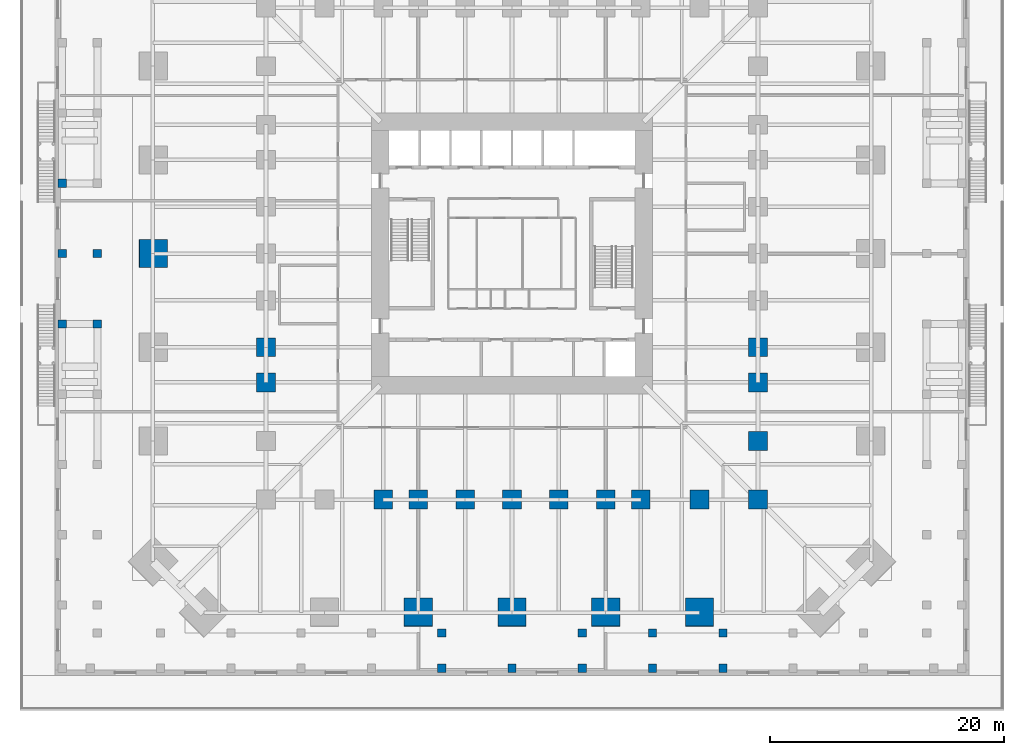
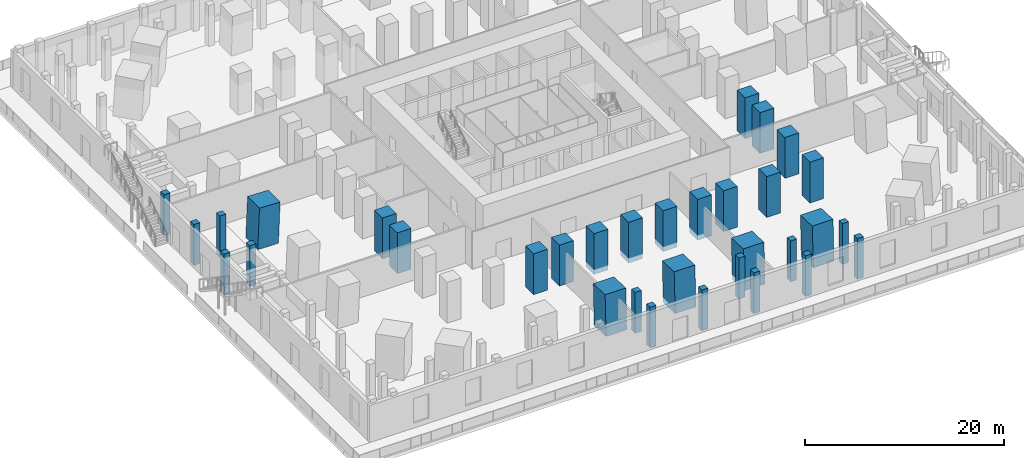
# One storey, part 3 of 22: 33 columns.
"""IFC4 building model written with IfcOpenShell, lengths in metres."""

from ifc_helpers import new_model, si_unit, direction, frame, origin, origin_2d, place, context, subcontext, project, spatial, rectangle, extrude, material, material_profile, profile_set, type_object, element, save


model = new_model("IFC4")

# Units and contexts
model_context = context("Model", 3, precision=1e-05, world=origin(), true_north=direction((0.0, 1.0)))
body_context = subcontext(model_context, "Body", "Model", "MODEL_VIEW")
ifc_project = project(units=[si_unit("LENGTHUNIT", "METRE"), si_unit("AREAUNIT", "SQUARE_METRE"), si_unit("VOLUMEUNIT", "CUBIC_METRE"), si_unit("PLANEANGLEUNIT", "RADIAN"), si_unit("MASSUNIT", "GRAM", prefix="KILO")], contexts=[model_context])

# Site, building, storey
site_placement = place(None, origin())
site = spatial("IfcSite", under=ifc_project, at=site_placement, CompositionType="ELEMENT")
building_placement = place(site_placement, origin())
building = spatial("IfcBuilding", under=site, at=building_placement, Name="Peilmerk Tower", CompositionType="ELEMENT")
storey_placement = place(building_placement, frame((0.0, 0.0, 6.0)))
storey = spatial("IfcBuildingStorey", under=building, at=storey_placement, Name="L01", CompositionType="ELEMENT", Elevation=6.0)

# Columns
ifc_material_1 = material(Name="Concrete C55/67", Category="concrete")
ifc_material_profile_1 = material_profile(ifc_material_1, rectangle(XDim=0.699951171875, YDim=0.699951171875, at=origin_2d()), Name="RC 700x700")
ifc_profile_set_1 = profile_set([ifc_material_profile_1], Name="Concrete C55/67")
column_type_1 = type_object("IfcColumnType", Name="PC1 700x700 podium column", PredefinedType="COLUMN", material=ifc_profile_set_1)
for number, where, z_axis, x_axis, name in (
    (1, (-35.39990234375, -6.0, 0.0), (0.0, 0.0, 1.0), (1.0, 0.0, 0.0), "Podium column ring A L01"),
    (2, (-35.39990234375, 0.0, 0.0), (0.0, 0.0, 1.0), (1.0, 0.0, 0.0), "Podium column ring A L01"),
    (3, (-6.0, -32.39990234375, 0.0), (0.0, 0.0, 1.0), (1.0, 0.0, 0.0), "Podium column ring A L01"),
    (4, (6.0, -32.39990234375, 0.0), (0.0, 0.0, 1.0), (1.0, 0.0, 0.0), "Podium column ring A L01"),
    (5, (12.0, -32.39990234375, 0.0), (0.0, 0.0, 1.0), (1.0, 0.0, 0.0), "Podium column ring A L01"),
    (6, (18.0, -32.39990234375, 0.0), (0.0, 0.0, 1.0), (1.0, 0.0, 0.0), "Podium column ring A L01"),
    (7, (-38.39990234375, -6.0, 0.0), (0.0, 0.0, 1.0), (1.0, 0.0, 0.0), "Podium column ring B L01"),
    (8, (-38.39990234375, 0.0, 0.0), (0.0, 0.0, 1.0), (1.0, 0.0, 0.0), "Podium column ring B L01"),
    (9, (-38.39990234375, 6.0, 0.0), (0.0, 0.0, 1.0), (1.0, 0.0, 0.0), "Podium column ring B L01"),
    (10, (-6.0, -35.39990234375, 0.0), (0.0, 0.0, 1.0), (1.0, 0.0, 0.0), "Podium column ring B L01"),
    (11, (0.0, -35.39990234375, 0.0), (0.0, 0.0, 1.0), (1.0, 0.0, 0.0), "Podium column ring B L01"),
    (12, (6.0, -35.39990234375, 0.0), (0.0, 0.0, 1.0), (1.0, 0.0, 0.0), "Podium column ring B L01"),
    (13, (12.0, -35.39990234375, 0.0), (0.0, 0.0, 1.0), (1.0, 0.0, 0.0), "Podium column ring B L01"),
    (14, (18.0, -35.39990234375, 0.0), (0.0, 0.0, 1.0), (1.0, 0.0, 0.0), "Podium column ring B L01"),
):
    element("IfcColumn", number, at=place(storey_placement, frame(where, z_axis=z_axis, x_axis=x_axis)), inside=storey, type_object=column_type_1, Name=name, PredefinedType="COLUMN", context=body_context, shape_type="SweptSolid", body=[
        extrude(rectangle(XDim=0.699951171875, YDim=0.699951171875, at=origin_2d()), origin(), (0.0, 0.0, 1.0), 5.0),
    ])
ifc_material_2 = material(Name="Concrete C90/105", Category="concrete")
ifc_material_profile_2 = material_profile(ifc_material_2, rectangle(XDim=2.39990234375, YDim=2.39990234375, at=origin_2d()), Name="RC 2400x2400")
ifc_profile_set_2 = profile_set([ifc_material_profile_2], Name="Concrete C90/105")
column_type_2 = type_object("IfcColumnType", Name="SC1 2400x2400 encased perimeter column", PredefinedType="COLUMN", material=ifc_profile_set_2)
for number, where, z_axis, x_axis, name in (
    (15, (0.0, -30.65478515625, 0.0), (0.0, 0.040299267708, 0.999187654559), (-1.0, 0.0, 0.0), "Perimeter column S+0 L01"),
    (16, (-8.0, -30.65478515625, 0.0), (0.0, 0.040299267708, 0.999187654559), (-1.0, 0.0, 0.0), "Perimeter column S-8 L01"),
    (17, (8.0, -30.65478515625, 0.0), (0.0, 0.040299267708, 0.999187654559), (-1.0, 0.0, 0.0), "Perimeter column S+8 L01"),
    (18, (16.0, -30.65478515625, 0.0), (0.0, 0.040299267708, 0.999187654559), (-1.0, 0.0, 0.0), "Perimeter column S+16 L01"),
    (19, (-30.65478515625, 0.0, 0.0), (0.040299267708, 0.0, 0.999187654559), (0.0, 1.0, 0.0), "Perimeter column W+0 L01"),
):
    element("IfcColumn", number, at=place(storey_placement, frame(where, z_axis=z_axis, x_axis=x_axis)), inside=storey, type_object=column_type_2, Name=name, PredefinedType="COLUMN", context=body_context, shape_type="SweptSolid", body=[
        extrude(rectangle(XDim=2.39990234375, YDim=2.39990234375, at=origin_2d()), origin(), (0.0, 0.0, 1.0), 5.004150390625),
    ])
ifc_material_profile_3 = material_profile(ifc_material_2, rectangle(XDim=1.60009765625, YDim=1.60009765625, at=origin_2d()), Name="RC 1600x1600")
ifc_profile_set_3 = profile_set([ifc_material_profile_3], Name="Concrete C90/105")
column_type_3 = type_object("IfcColumnType", Name="SC2 1600x1600 encased interior column", PredefinedType="COLUMN", material=ifc_profile_set_3)
for number, where, z_axis, x_axis, name in (
    (20, (21.0, -8.0, 0.0), (0.0, 0.0, 1.0), (1.0, 0.0, 0.0), "Interior column E-8 L01"),
    (21, (21.0, -11.0, 0.0), (0.0, 0.0, 1.0), (1.0, 0.0, 0.0), "Interior column E-11 L01"),
    (22, (21.0, -16.0, 0.0), (0.0, 0.0, 1.0), (1.0, 0.0, 0.0), "Interior column E-16 L01"),
    (23, (0.0, -21.0, 0.0), (0.0, 0.0, 1.0), (1.0, 0.0, 0.0), "Interior column S+0 L01"),
    (24, (-4.0, -21.0, 0.0), (0.0, 0.0, 1.0), (1.0, 0.0, 0.0), "Interior column S-4 L01"),
    (25, (4.0, -21.0, 0.0), (0.0, 0.0, 1.0), (1.0, 0.0, 0.0), "Interior column S+4 L01"),
    (26, (-8.0, -21.0, 0.0), (0.0, 0.0, 1.0), (1.0, 0.0, 0.0), "Interior column S-8 L01"),
    (27, (8.0, -21.0, 0.0), (0.0, 0.0, 1.0), (1.0, 0.0, 0.0), "Interior column S+8 L01"),
    (28, (-11.0, -21.0, 0.0), (0.0, 0.0, 1.0), (1.0, 0.0, 0.0), "Interior column S-11 L01"),
    (29, (11.0, -21.0, 0.0), (0.0, 0.0, 1.0), (1.0, 0.0, 0.0), "Interior column S+11 L01"),
    (30, (16.0, -21.0, 0.0), (0.0, 0.0, 1.0), (1.0, 0.0, 0.0), "Interior column S+16 L01"),
    (31, (-21.0, -8.0, 0.0), (0.0, 0.0, 1.0), (1.0, 0.0, 0.0), "Interior column W+8 L01"),
    (32, (-21.0, -11.0, 0.0), (0.0, 0.0, 1.0), (1.0, 0.0, 0.0), "Interior column W+11 L01"),
    (33, (21.0, -21.0, 0.0), (0.0, 0.0, 1.0), (1.0, 0.0, 0.0), "Interior column SE L01"),
):
    element("IfcColumn", number, at=place(storey_placement, frame(where, z_axis=z_axis, x_axis=x_axis)), inside=storey, type_object=column_type_3, Name=name, PredefinedType="COLUMN", context=body_context, shape_type="SweptSolid", body=[
        extrude(rectangle(XDim=1.60009765625, YDim=1.60009765625, at=origin_2d()), origin(), (0.0, 0.0, 1.0), 5.0),
    ])

save(model, "model.ifc")
